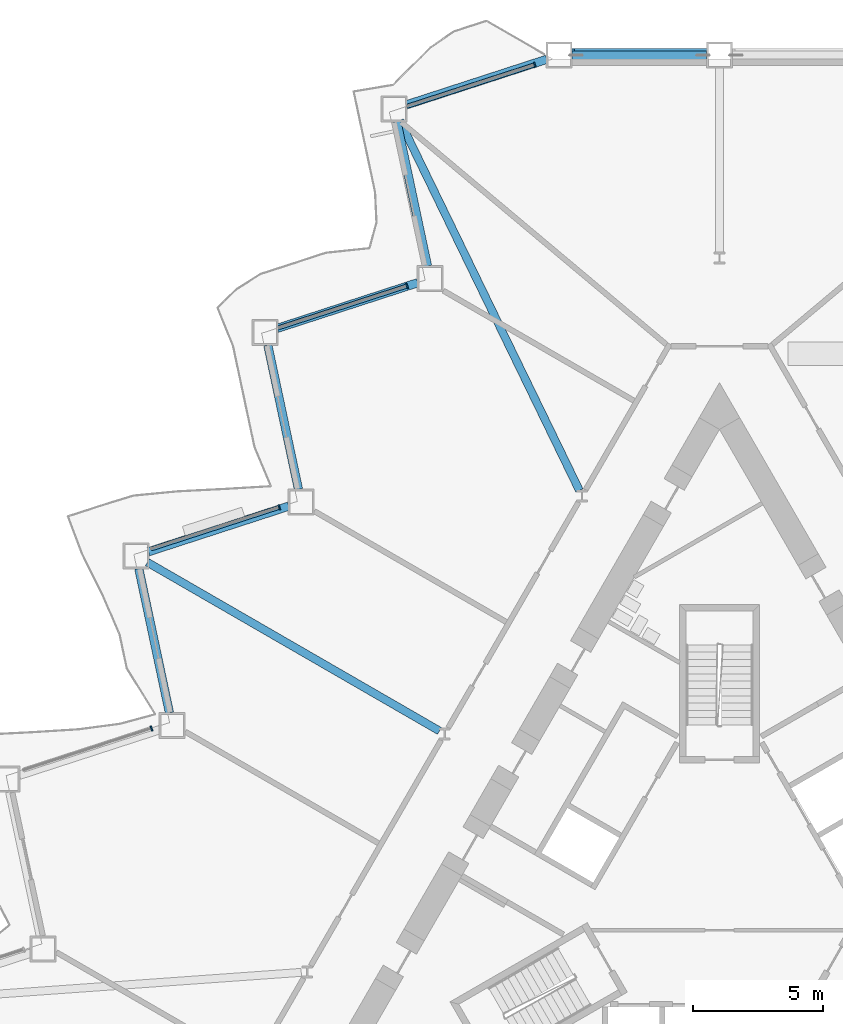
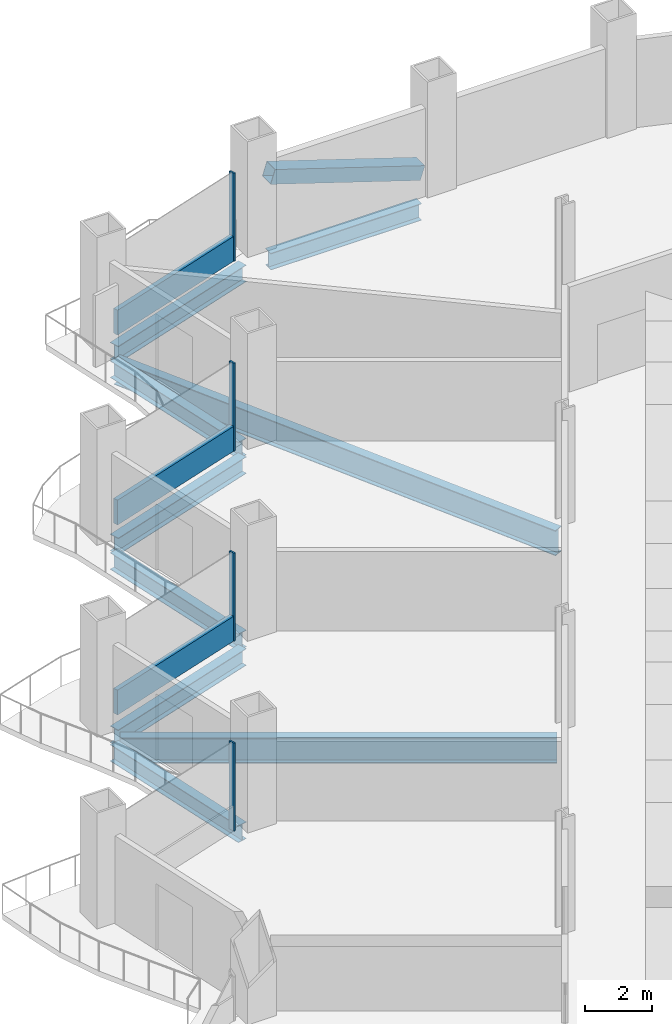
# One storey, part 6 of 21: 9 beams, 8 members, 4 elements without a shape of their own.
"""IFC4 building model written with IfcOpenShell, lengths in metres."""

import ifcopenshell
import ifcopenshell.guid

model = None  # the IFC model being written
_history = None  # IfcOwnerHistory: only IFC2X3 demands one
_inside = {}  # id of a spatial element -> (the spatial element, [elements in it])
_under = {}  # id of a project, library or spatial element -> (it, [spatial elements below it])
_declared = {}  # id of a project -> (the project, [libraries it declares])
_typed = {}  # id of a type object -> (the type object, [elements of that type])
_made_of = {}  # id of a material, layer set ... -> (it, [elements and type objects made of it])


def new_model(schema):
    """Start an empty IFC model of exactly this schema.

    Asked for "IFC4X3", IfcOpenShell would pick the latest addendum, in which some entities
    have other attributes; the version numbers below select the first issue.
    IFC2X3 requires an IfcOwnerHistory on every rooted entity: one is made here for all.
    """
    global model, _history
    if schema == "IFC4X3":
        model = ifcopenshell.file(schema_version=(4, 3, 0, 0))
    else:
        model = ifcopenshell.file(schema=schema)
    _inside.clear()
    _under.clear()
    _declared.clear()
    _typed.clear()
    _made_of.clear()
    _history = None
    if model.schema == "IFC2X3":
        org = make("IfcOrganization", Name="unknown")
        user = make(
            "IfcPersonAndOrganization",
            ThePerson=make("IfcPerson", FamilyName="unknown"),
            TheOrganization=org,
        )
        app = make(
            "IfcApplication",
            ApplicationDeveloper=org,
            Version="unknown",
            ApplicationFullName="unknown",
            ApplicationIdentifier="unknown",
        )
        _history = make(
            "IfcOwnerHistory",
            OwningUser=user,
            OwningApplication=app,
            ChangeAction="ADDED",
            CreationDate=0,
        )
    return model


def make(cls, **values):
    """One entity of the class cls with the attributes given. An attribute that is None is left unset."""
    return model.create_entity(
        cls, **{name: value for name, value in values.items() if value is not None}
    )


def rooted(cls, **values):
    """An entity with a GlobalId (a new one), such as an element, a storey or a relation."""
    return make(cls, GlobalId=ifcopenshell.guid.new(), OwnerHistory=_history, **values)


def si_unit(unit_type, name, prefix=None):
    """IfcSIUnit, for example si_unit("LENGTHUNIT", "METRE", prefix="MILLI")."""
    return make("IfcSIUnit", UnitType=unit_type, Prefix=prefix, Name=name)


def assignment(units):
    """IfcUnitAssignment: the units of a project."""
    return None if units is None else make("IfcUnitAssignment", Units=units)


def point(xyz):
    """IfcCartesianPoint."""
    return None if xyz is None else make("IfcCartesianPoint", Coordinates=xyz)


def direction(xyz):
    """IfcDirection."""
    return None if xyz is None else make("IfcDirection", DirectionRatios=xyz)


def frame(location, z_axis=None, x_axis=None):
    """IfcAxis2Placement3D, a coordinate frame: its origin and axes. An axis left out is left unset."""
    return make(
        "IfcAxis2Placement3D",
        Location=point(location),
        Axis=direction(z_axis),
        RefDirection=direction(x_axis),
    )


def frame_2d(location, x_axis=None):
    """IfcAxis2Placement2D, a coordinate frame in the plane: its origin and x axis."""
    return make(
        "IfcAxis2Placement2D", Location=point(location), RefDirection=direction(x_axis)
    )


def origin():
    """The frame at (0, 0, 0) with its axes left unset."""
    return frame((0.0, 0.0, 0.0))


def origin_2d():
    """The frame at (0, 0) in the plane with its x axis left unset."""
    return frame_2d((0.0, 0.0))


def place(relative_to, where):
    """IfcLocalPlacement: puts the frame where relative to a parent placement (None: the world)."""
    return make(
        "IfcLocalPlacement", PlacementRelTo=relative_to, RelativePlacement=where
    )


def context(
    kind, dimensions, precision=None, world=None, true_north=None, identifier=None
):
    """IfcGeometricRepresentationContext, for example the 3D "Model" context."""
    return make(
        "IfcGeometricRepresentationContext",
        ContextIdentifier=identifier,
        ContextType=kind,
        CoordinateSpaceDimension=dimensions,
        Precision=precision,
        WorldCoordinateSystem=world,
        TrueNorth=true_north,
    )


def subcontext(parent, identifier, kind, view, scale=None):
    """IfcGeometricRepresentationSubContext, for example "Body" below "Model"."""
    return make(
        "IfcGeometricRepresentationSubContext",
        ContextIdentifier=identifier,
        ContextType=kind,
        ParentContext=parent,
        TargetScale=scale,
        TargetView=view,
    )


def project(units=None, contexts=None):
    """IfcProject with its units and contexts."""
    return rooted(
        "IfcProject",
        Name="project",
        RepresentationContexts=contexts,
        UnitsInContext=assignment(units),
    )


def spatial(cls, under=None, at=None, **own):
    """A site, building, storey or space (cls), placed at a placement, below another one or the project."""
    s = rooted(cls, ObjectPlacement=at, **own)
    if under is not None:
        _under.setdefault(under.id(), (under, []))[1].append(s)
    return s


def profile(cls, at=None, kind="AREA", **sizes):
    """A parametric profile (cls). Its sizes go by their IFC names, for example OverallWidth=200.0."""
    return make(cls, ProfileType=kind, Position=at, **sizes)


def rectangle(**sizes):
    """IfcRectangleProfileDef."""
    return profile("IfcRectangleProfileDef", **sizes)


def hollow_rectangle(**sizes):
    """IfcRectangleHollowProfileDef."""
    return profile("IfcRectangleHollowProfileDef", **sizes)


def i_section(**sizes):
    """IfcIShapeProfileDef."""
    return profile("IfcIShapeProfileDef", **sizes)


def extrude(swept, where, along, depth):
    """IfcExtrudedAreaSolid: the profile swept, set in the frame where, extruded along a direction by depth."""
    return make(
        "IfcExtrudedAreaSolid",
        SweptArea=swept,
        Position=where,
        ExtrudedDirection=direction(along),
        Depth=depth,
    )


def shape(context_of_items, identifier, shape_type, items):
    """IfcShapeRepresentation: the items that make up one representation, for example the "Body"."""
    return make(
        "IfcShapeRepresentation",
        ContextOfItems=context_of_items,
        RepresentationIdentifier=identifier,
        RepresentationType=shape_type,
        Items=items,
    )


def material(Name=None, Category=None):
    """IfcMaterial."""
    return make("IfcMaterial", Name=Name, Category=Category)


def layer(
    of_material, thickness, ventilated=None, Name=None, Category=None, Priority=None
):
    """IfcMaterialLayer: one layer of a wall or slab, of a material (None: an air gap)."""
    return make(
        "IfcMaterialLayer",
        Material=of_material,
        LayerThickness=thickness,
        IsVentilated=ventilated,
        Name=Name,
        Category=Category,
        Priority=Priority,
    )


def layer_set(layers, Name=None):
    """IfcMaterialLayerSet."""
    return make("IfcMaterialLayerSet", MaterialLayers=layers, LayerSetName=Name)


def material_profile(
    of_material, cross_section, Name=None, Category=None, Priority=None
):
    """IfcMaterialProfile: a cross section and its material."""
    return make(
        "IfcMaterialProfile",
        Name=Name,
        Material=of_material,
        Profile=cross_section,
        Priority=Priority,
        Category=Category,
    )


def profile_set(profiles, Name=None, composite=None):
    """IfcMaterialProfileSet."""
    return make(
        "IfcMaterialProfileSet",
        Name=Name,
        MaterialProfiles=profiles,
        CompositeProfile=composite,
    )


def made_of(thing, what):
    """Note that an element or type object is made of a material, layer set ...; save() writes the relation."""
    if what is not None:
        _made_of.setdefault(what.id(), (what, []))[1].append(thing)
    return thing


def type_object(cls, material=None, **own):
    """A type object (cls), such as IfcWallType, which elements share."""
    return made_of(rooted(cls, **own), material)


def element(
    cls,
    number,
    at=None,
    inside=None,
    cuts=None,
    type_object=None,
    material=None,
    context=None,
    identifier="Body",
    shape_type=None,
    held_by="IfcProductDefinitionShape",
    body=None,
    shapes=None,
    **own,
):
    """One element of the class cls, such as IfcWall. Its Tag is "e" and its number.

    at: its placement. inside: the storey or other place that contains it. cuts: it is an
    opening in that element (IfcRelVoidsElement). A single representation is given by context,
    identifier, shape_type and body (its items); several are given by shapes. held_by: the class
    of the entity that holds the representations. save() writes the other relations.
    """
    e = rooted(cls, Tag="e%d" % number, ObjectPlacement=at, **own)
    if body is not None:
        shapes = [shape(context, identifier, shape_type, body)]
    if shapes is not None:
        e.Representation = make(held_by, Representations=shapes)
    if inside is not None:
        _inside.setdefault(inside.id(), (inside, []))[1].append(e)
    if cuts is not None:
        rooted(
            "IfcRelVoidsElement", RelatingBuildingElement=cuts, RelatedOpeningElement=e
        )
    if type_object is not None:
        _typed.setdefault(type_object.id(), (type_object, []))[1].append(e)
    return made_of(e, material)


def aggregate(whole, parts):
    """IfcRelAggregates: a whole, such as a stair, and the parts it consists of."""
    return rooted("IfcRelAggregates", RelatingObject=whole, RelatedObjects=parts)


def save(model, path):
    """Write the relations noted so far, then the file.

    IfcRelAggregates (storeys below a building ...), IfcRelContainedInSpatialStructure (elements
    in a storey), IfcRelDefinesByType, IfcRelAssociatesMaterial and IfcRelDeclares: one each for
    every whole, place, type object, material and project.
    """
    for whole, parts in _under.values():
        aggregate(whole, parts)
    for where, things in _inside.values():
        rooted(
            "IfcRelContainedInSpatialStructure",
            RelatedElements=things,
            RelatingStructure=where,
        )
    for kind, things in _typed.values():
        rooted("IfcRelDefinesByType", RelatedObjects=things, RelatingType=kind)
    for what, things in _made_of.values():
        rooted("IfcRelAssociatesMaterial", RelatedObjects=things, RelatingMaterial=what)
    for by, libraries in _declared.values():
        rooted("IfcRelDeclares", RelatingContext=by, RelatedDefinitions=libraries)
    model.write(path)


model = new_model("IFC4")

# Units and contexts
model_context = context("Model", 3, precision=1e-05, world=origin(), true_north=direction((0.0, 1.0)))
body_context = subcontext(model_context, "Body", "Model", "MODEL_VIEW")
ifc_project = project(units=[si_unit("LENGTHUNIT", "METRE"), si_unit("AREAUNIT", "SQUARE_METRE"), si_unit("VOLUMEUNIT", "CUBIC_METRE"), si_unit("PLANEANGLEUNIT", "RADIAN"), si_unit("MASSUNIT", "GRAM", prefix="KILO")], contexts=[model_context])

# Site, building, storey
site_placement = place(None, origin())
site = spatial("IfcSite", under=ifc_project, at=site_placement, CompositionType="ELEMENT")
building_placement = place(site_placement, origin())
building = spatial("IfcBuilding", under=site, at=building_placement, Name="Cormorant Prow Tower", CompositionType="ELEMENT")
storey_placement = place(building_placement, frame((0.0, 0.0, 72.0)))
storey = spatial("IfcBuildingStorey", under=building, at=storey_placement, Name="L15", CompositionType="ELEMENT", Elevation=72.0)

# Member
ifc_material_1 = material(Name="Structural steel ASTM A500 Gr C", Category="steel")
ifc_material_profile_1 = material_profile(ifc_material_1, hollow_rectangle(XDim=0.508056640625, YDim=0.508056640625, WallThickness=0.014892578125, at=origin_2d()), Name="HSS20x20x5/8")
ifc_profile_set_1 = profile_set([ifc_material_profile_1], Name="Structural steel ASTM A500 Gr C")
member_type_1 = type_object("IfcMemberType", Name="Chamfer brace HSS20x20x5/8", PredefinedType="BRACE", material=ifc_profile_set_1)
member_1_placement = place(storey_placement, frame((-0.518798828125, 32.233642578125, 0.767333984375), z_axis=(-0.951774314198, 0.0, 0.306799046335), x_axis=(0.0, -1.0, 0.0)))
element("IfcMember", 1, at=member_1_placement, inside=storey, type_object=member_type_1, Name="Chamfer brace BR1 at N01 L15", PredefinedType="BRACE", context=body_context, shape_type="SweptSolid", body=[
    extrude(hollow_rectangle(XDim=0.508056640625, YDim=0.508056640625, WallThickness=0.014892578125, at=origin_2d()), origin(), (0.0, 0.0, 1.0), 5.39208984375),
])

# Curtain wall, member
ifc_material_2 = material(Name="Aluminium 6063-T6", Category="aluminium")
ifc_layer = layer(ifc_material_2, 0.199951171875)
ifc_layer_set = layer_set([ifc_layer], Name="Aluminium 6063-T6")
curtain_wall_type = type_object("IfcCurtainWallType", Name="Office unitised curtain wall 200", PredefinedType="NOTDEFINED", material=ifc_layer_set)
curtain_wall_1_placement = place(storey_placement, origin())
curtain_wall_1 = element("IfcCurtainWall", 2, at=curtain_wall_1_placement, inside=storey, type_object=curtain_wall_type, Name="Office curtain wall WNW00", PredefinedType="NOTDEFINED")
ifc_material_3 = material(Name="Aluminium 6063-T6", Category="aluminium")
ifc_material_profile_2 = material_profile(ifc_material_3, rectangle(XDim=0.199951171875, YDim=0.06005859375, at=origin_2d()), Name="Office mullion 60x200")
ifc_profile_set_2 = profile_set([ifc_material_profile_2], Name="Aluminium 6063-T6")
member_type_2 = type_object("IfcMemberType", Name="Office mullion 60x200", PredefinedType="MULLION", material=ifc_profile_set_2)
member_2_placement = place(storey_placement, frame((-7.112060546875, 31.865478515625, 0.0), z_axis=(0.0, 0.0, 1.0), x_axis=(0.309016946636, -0.951056531806, 0.0)))
member_2 = element("IfcMember", 3, at=member_2_placement, type_object=member_type_2, Name="Office mullion WNW00", PredefinedType="MULLION", context=body_context, shape_type="SweptSolid", body=[
    extrude(rectangle(XDim=0.199951171875, YDim=0.06005859375, at=origin_2d()), origin(), (0.0, 0.0, 1.0), 3.18896484375),
])

curtain_wall_2_placement = place(storey_placement, origin())
curtain_wall_2 = element("IfcCurtainWall", 4, at=curtain_wall_2_placement, inside=storey, type_object=curtain_wall_type, Name="Office curtain wall WNW02", PredefinedType="NOTDEFINED")
member_3_placement = place(storey_placement, frame((-12.029052734375, 23.34912109375, 0.0), z_axis=(0.0, 0.0, 1.0), x_axis=(0.309016946636, -0.951056531806, 0.0)))
member_3 = element("IfcMember", 5, at=member_3_placement, type_object=member_type_2, Name="Office mullion WNW02", PredefinedType="MULLION", context=body_context, shape_type="SweptSolid", body=[
    extrude(rectangle(XDim=0.199951171875, YDim=0.06005859375, at=origin_2d()), origin(), (0.0, 0.0, 1.0), 3.18896484375),
])

curtain_wall_3_placement = place(storey_placement, origin())
curtain_wall_3 = element("IfcCurtainWall", 6, at=curtain_wall_3_placement, inside=storey, type_object=curtain_wall_type, Name="Office curtain wall WNW04", PredefinedType="NOTDEFINED")
member_4_placement = place(storey_placement, frame((-16.946044921875, 14.83251953125, 0.0), z_axis=(0.0, 0.0, 1.0), x_axis=(0.309016946636, -0.951056531806, 0.0)))
member_4 = element("IfcMember", 7, at=member_4_placement, type_object=member_type_2, Name="Office mullion WNW04", PredefinedType="MULLION", context=body_context, shape_type="SweptSolid", body=[
    extrude(rectangle(XDim=0.199951171875, YDim=0.06005859375, at=origin_2d()), origin(), (0.0, 0.0, 1.0), 3.18896484375),
])

curtain_wall_4_placement = place(storey_placement, origin())
curtain_wall_4 = element("IfcCurtainWall", 8, at=curtain_wall_4_placement, inside=storey, type_object=curtain_wall_type, Name="Office curtain wall WNW06", PredefinedType="NOTDEFINED")
member_5_placement = place(storey_placement, frame((-21.863037109375, 6.31591796875, 0.0), z_axis=(0.0, 0.0, 1.0), x_axis=(0.309016946636, -0.951056531806, 0.0)))
member_5 = element("IfcMember", 9, at=member_5_placement, type_object=member_type_2, Name="Office mullion WNW06", PredefinedType="MULLION", context=body_context, shape_type="SweptSolid", body=[
    extrude(rectangle(XDim=0.199951171875, YDim=0.06005859375, at=origin_2d()), origin(), (0.0, 0.0, 1.0), 3.18896484375),
])
aggregate(curtain_wall_4, [member_5])

# Member
ifc_material_4 = material(Name="Terracotta", Category="masonry")
ifc_material_profile_3 = material_profile(ifc_material_4, rectangle(XDim=0.159912109375, YDim=0.89990234375, at=origin_2d()), Name="Office terracotta spandrel rail 160x900")
ifc_profile_set_3 = profile_set([ifc_material_profile_3], Name="Terracotta")
member_type_3 = type_object("IfcMemberType", Name="Office terracotta spandrel rail 160x900", PredefinedType="USERDEFINED", material=ifc_profile_set_3)
member_6_placement = place(storey_placement, frame((-7.140625, 31.856201171875, 0.449951171875), z_axis=(-0.951059146206, -0.309008900225, 0.0), x_axis=(0.309008900225, -0.951059146206, 0.0)))
member_6 = element("IfcMember", 10, at=member_6_placement, type_object=member_type_3, Name="Office spandrel rail WNW00", ObjectType="TRANSOM", PredefinedType="USERDEFINED", context=body_context, shape_type="SweptSolid", body=[
    extrude(rectangle(XDim=0.159912109375, YDim=0.89990234375, at=origin_2d()), origin(), (0.0, 0.0, 1.0), 5.150390625),
])

aggregate(curtain_wall_1, [member_2, member_6])

member_7_placement = place(storey_placement, frame((-12.0576171875, 23.33984375, 0.449951171875), z_axis=(-0.951059146206, -0.309008900225, 0.0), x_axis=(0.309008900225, -0.951059146206, 0.0)))
member_7 = element("IfcMember", 11, at=member_7_placement, type_object=member_type_3, Name="Office spandrel rail WNW02", ObjectType="TRANSOM", PredefinedType="USERDEFINED", context=body_context, shape_type="SweptSolid", body=[
    extrude(rectangle(XDim=0.159912109375, YDim=0.89990234375, at=origin_2d()), origin(), (0.0, 0.0, 1.0), 5.150390625),
])

aggregate(curtain_wall_2, [member_3, member_7])

member_8_placement = place(storey_placement, frame((-16.974609375, 14.8232421875, 0.449951171875), z_axis=(-0.951059146206, -0.309008900225, 0.0), x_axis=(0.309008900225, -0.951059146206, 0.0)))
member_8 = element("IfcMember", 12, at=member_8_placement, type_object=member_type_3, Name="Office spandrel rail WNW04", ObjectType="TRANSOM", PredefinedType="USERDEFINED", context=body_context, shape_type="SweptSolid", body=[
    extrude(rectangle(XDim=0.159912109375, YDim=0.89990234375, at=origin_2d()), origin(), (0.0, 0.0, 1.0), 5.150390625),
])

aggregate(curtain_wall_3, [member_4, member_8])

# Beams
ifc_material_5 = material(Name="Structural steel ASTM A992 Gr 50", Category="steel")
ifc_material_profile_4 = material_profile(ifc_material_5, i_section(OverallWidth=0.3046875, OverallDepth=0.914794921875, WebThickness=0.0166015625, FlangeThickness=0.02587890625, at=origin_2d()), Name="W36x160")
ifc_profile_set_4 = profile_set([ifc_material_profile_4], Name="Structural steel ASTM A992 Gr 50")
beam_type_1 = type_object("IfcBeamType", Name="Radial floor beam W36x160", PredefinedType="BEAM", material=ifc_profile_set_4)
beam_1_placement = place(storey_placement, frame((-5.390625, 15.4775390625, -0.857421875), z_axis=(-0.436839436813, 0.899539496879, 0.0), x_axis=(-0.899539496879, -0.436839436813, 0.0)))
element("IfcBeam", 13, at=beam_1_placement, inside=storey, type_object=beam_type_1, Name="Radial floor beam FB1 2 L15", PredefinedType="BEAM", context=body_context, shape_type="SweptSolid", body=[
    extrude(i_section(OverallWidth=0.3046875, OverallDepth=0.914794921875, WebThickness=0.0166015625, FlangeThickness=0.02587890625, at=origin_2d()), origin(), (0.0, 0.0, 1.0), 15.83203125),
])
beam_2_placement = place(storey_placement, frame((-10.779541015625, 6.2236328125, -0.857421875), z_axis=(-0.866030278318, 0.499991556966, 0.0), x_axis=(-0.499991556966, -0.866030278318, 0.0)))
element("IfcBeam", 14, at=beam_2_placement, inside=storey, type_object=beam_type_1, Name="Radial floor beam FB1 3 L15", PredefinedType="BEAM", context=body_context, shape_type="SweptSolid", body=[
    extrude(i_section(OverallWidth=0.3046875, OverallDepth=0.914794921875, WebThickness=0.0166015625, FlangeThickness=0.02587890625, at=origin_2d()), origin(), (0.0, 0.0, 1.0), 12.984130859375),
])
ifc_material_6 = material(Name="Structural steel ASTM A992 Gr 50", Category="steel")
ifc_material_profile_5 = material_profile(ifc_material_6, i_section(OverallWidth=0.32373046875, OverallDepth=0.611083984375, WebThickness=0.0126953125, FlangeThickness=0.01904296875, at=origin_2d()), Name="W24x104")
ifc_profile_set_5 = profile_set([ifc_material_profile_5], Name="Structural steel ASTM A992 Gr 50")
beam_type_2 = type_object("IfcBeamType", Name="Spandrel beam W24x104", PredefinedType="SPANDREL", material=ifc_profile_set_5)
beam_3_placement = place(storey_placement, frame((-0.5, 32.233642578125, -0.70556640625), z_axis=(-1.0, 0.0, 0.0), x_axis=(0.0, -1.0, 0.0)))
element("IfcBeam", 15, at=beam_3_placement, inside=storey, type_object=beam_type_2, Name="Spandrel beam SB1 N01-WNW00 L15", PredefinedType="SPANDREL", context=body_context, shape_type="SweptSolid", body=[
    extrude(i_section(OverallWidth=0.32373046875, OverallDepth=0.611083984375, WebThickness=0.0126953125, FlangeThickness=0.01904296875, at=origin_2d()), origin(), (0.0, 0.0, 1.0), 5.169677734375),
])
beam_4_placement = place(storey_placement, frame((-6.645263671875, 32.0791015625, -0.70556640625), z_axis=(-0.951061849722, -0.309000579292, 0.0), x_axis=(0.309000579292, -0.951061849722, 0.0)))
element("IfcBeam", 16, at=beam_4_placement, inside=storey, type_object=beam_type_2, Name="Spandrel beam SB1 WNW00-WNW01 L15", PredefinedType="SPANDREL", context=body_context, shape_type="SweptSolid", body=[
    extrude(i_section(OverallWidth=0.32373046875, OverallDepth=0.611083984375, WebThickness=0.0126953125, FlangeThickness=0.01904296875, at=origin_2d()), origin(), (0.0, 0.0, 1.0), 5.682373046875),
])
beam_5_placement = place(storey_placement, frame((-12.421142578125, 29.6796875, -0.70556640625), z_axis=(0.207900376723, -0.97815000555, 0.0), x_axis=(0.97815000555, 0.207900376723, 0.0)))
element("IfcBeam", 17, at=beam_5_placement, inside=storey, type_object=beam_type_2, Name="Spandrel beam SB1 WNW01-WNW02 L15", PredefinedType="SPANDREL", context=body_context, shape_type="SweptSolid", body=[
    extrude(i_section(OverallWidth=0.32373046875, OverallDepth=0.611083984375, WebThickness=0.0126953125, FlangeThickness=0.01904296875, at=origin_2d()), origin(), (0.0, 0.0, 1.0), 5.6826171875),
])
beam_6_placement = place(storey_placement, frame((-11.611328125, 23.477783203125, -0.70556640625), z_axis=(-0.951049222751, -0.309039440696, 0.0), x_axis=(0.309039440696, -0.951049222751, 0.0)))
element("IfcBeam", 18, at=beam_6_placement, inside=storey, type_object=beam_type_2, Name="Spandrel beam SB1 WNW02-WNW03 L15", PredefinedType="SPANDREL", context=body_context, shape_type="SweptSolid", body=[
    extrude(i_section(OverallWidth=0.32373046875, OverallDepth=0.611083984375, WebThickness=0.0126953125, FlangeThickness=0.01904296875, at=origin_2d()), origin(), (0.0, 0.0, 1.0), 5.682373046875),
])
beam_7_placement = place(storey_placement, frame((-17.38720703125, 21.078125, -0.70556640625), z_axis=(0.207900376723, -0.97815000555, 0.0), x_axis=(0.97815000555, 0.207900376723, 0.0)))
element("IfcBeam", 19, at=beam_7_placement, inside=storey, type_object=beam_type_2, Name="Spandrel beam SB1 WNW03-WNW04 L15", PredefinedType="SPANDREL", context=body_context, shape_type="SweptSolid", body=[
    extrude(i_section(OverallWidth=0.32373046875, OverallDepth=0.611083984375, WebThickness=0.0126953125, FlangeThickness=0.01904296875, at=origin_2d()), origin(), (0.0, 0.0, 1.0), 5.6826171875),
])
beam_8_placement = place(storey_placement, frame((-16.577392578125, 14.876220703125, -0.70556640625), z_axis=(-0.951049222751, -0.309039440696, 0.0), x_axis=(0.309039440696, -0.951049222751, 0.0)))
element("IfcBeam", 20, at=beam_8_placement, inside=storey, type_object=beam_type_2, Name="Spandrel beam SB1 WNW04-WNW05 L15", PredefinedType="SPANDREL", context=body_context, shape_type="SweptSolid", body=[
    extrude(i_section(OverallWidth=0.32373046875, OverallDepth=0.611083984375, WebThickness=0.0126953125, FlangeThickness=0.01904296875, at=origin_2d()), origin(), (0.0, 0.0, 1.0), 5.682373046875),
])
beam_9_placement = place(storey_placement, frame((-22.353271484375, 12.4765625, -0.70556640625), z_axis=(0.207900376723, -0.97815000555, 0.0), x_axis=(0.97815000555, 0.207900376723, 0.0)))
element("IfcBeam", 21, at=beam_9_placement, inside=storey, type_object=beam_type_2, Name="Spandrel beam SB1 WNW05-WNW06 L15", PredefinedType="SPANDREL", context=body_context, shape_type="SweptSolid", body=[
    extrude(i_section(OverallWidth=0.32373046875, OverallDepth=0.611083984375, WebThickness=0.0126953125, FlangeThickness=0.01904296875, at=origin_2d()), origin(), (0.0, 0.0, 1.0), 5.6826171875),
])

save(model, "model.ifc")
